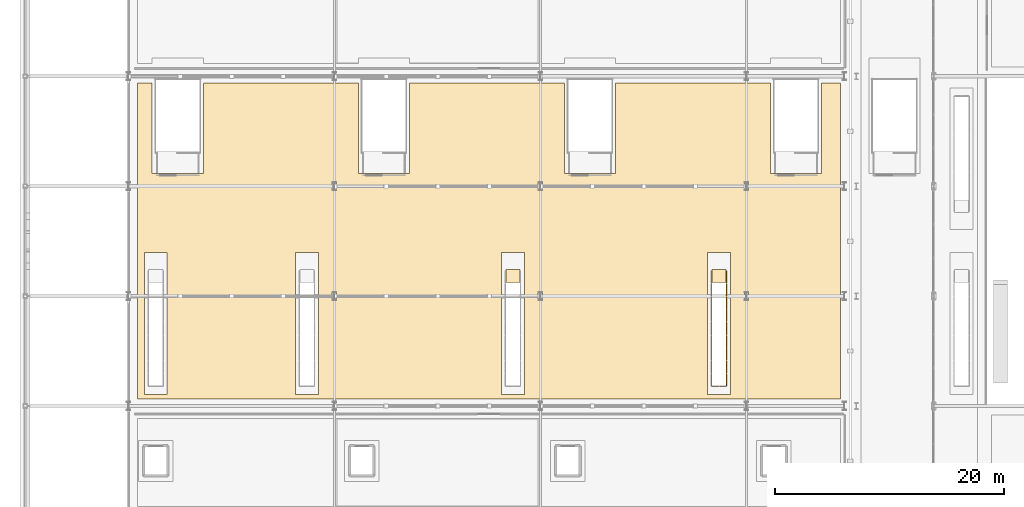
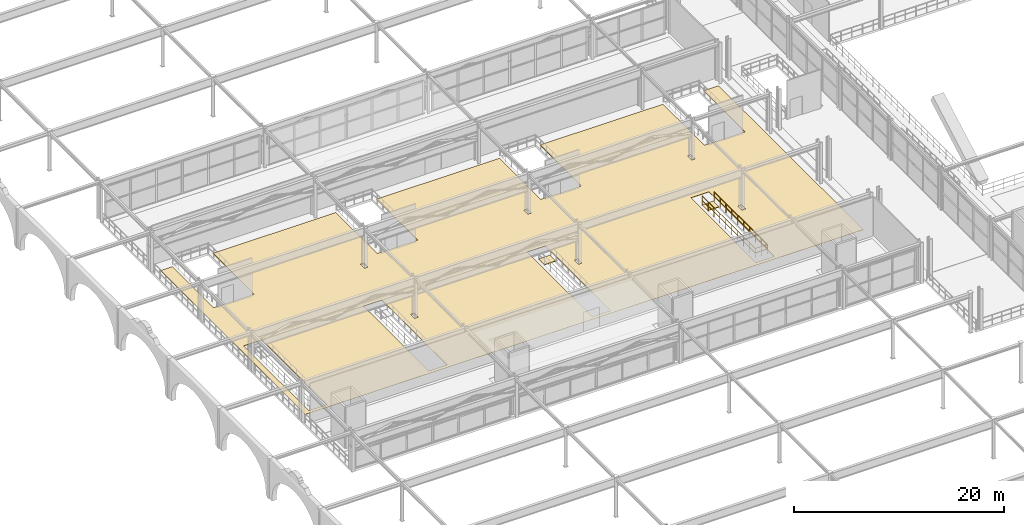
# One storey, part 95 of 125: 3 coverings, 1 railing.
"""IFC4 building model written with IfcOpenShell, lengths in metres."""

from ifc_helpers import new_model, si_unit, direction, frame, origin, origin_2d, place, context, subcontext, project, spatial, polyline, rectangle, outline, extrude, material, layer, layer_set, type_object, element, save


model = new_model("IFC4")

# Units and contexts
model_context = context("Model", 3, precision=1e-05, world=origin(), true_north=direction((0.0, 1.0)))
body_context = subcontext(model_context, "Body", "Model", "MODEL_VIEW")
ifc_project = project(units=[si_unit("LENGTHUNIT", "METRE"), si_unit("AREAUNIT", "SQUARE_METRE"), si_unit("VOLUMEUNIT", "CUBIC_METRE"), si_unit("PLANEANGLEUNIT", "RADIAN"), si_unit("MASSUNIT", "GRAM", prefix="KILO")], contexts=[model_context])

# Site, building, storey
site_placement = place(None, origin())
site = spatial("IfcSite", under=ifc_project, at=site_placement, CompositionType="ELEMENT")
building_placement = place(site_placement, origin())
building = spatial("IfcBuilding", under=site, at=building_placement, Name="Myrtia Square Station", CompositionType="ELEMENT")
storey_placement = place(building_placement, frame((0.0, 0.0, 6.0)))
storey = spatial("IfcBuildingStorey", under=building, at=storey_placement, Name="L01", CompositionType="ELEMENT", Elevation=6.0)

# Coverings
ifc_material_1 = material(Name="Terrazzo stone tile", Category="masonry")
ifc_layer = layer(ifc_material_1, 0.02490234375, Name="Terrazzo stone tile")
ifc_layer_set = layer_set([ifc_layer], Name="Terrazzo stone tile")
covering_type = type_object("IfcCoveringType", Name="COV-FLR-TERRAZZO", PredefinedType="FLOORING", material=ifc_layer_set)
covering_1_placement = place(storey_placement, origin())
element("IfcCovering", 1, at=covering_1_placement, inside=storey, type_object=covering_type, Name="Terrazzo concourse flooring L01-01", PredefinedType="FLOORING", context=body_context, shape_type="SweptSolid", body=[
    extrude(outline(polyline([(71.199951171875, 48.60009765625), (9.800048828125, 48.60009765625), (9.800048828125, 76.199951171875), (11.090087890625, 76.199951171875), (11.090087890625, 68.330078125), (15.550048828125, 68.330078125), (15.550048828125, 76.199951171875), (29.090087890625, 76.199951171875), (29.090087890625, 68.330078125), (33.550048828125, 68.330078125), (33.550048828125, 76.199951171875), (47.090087890625, 76.199951171875), (47.090087890625, 68.330078125), (51.550048828125, 68.330078125), (51.550048828125, 76.199951171875), (65.090087890625, 76.199951171875), (65.090087890625, 68.330078125), (69.550048828125, 68.330078125), (69.550048828125, 76.199951171875), (71.199951171875, 76.199951171875), (71.199951171875, 48.60009765625)]), holes=[polyline([(12.39990234375, 61.39990234375), (10.39990234375, 61.39990234375), (10.39990234375, 49.0), (12.39990234375, 49.0), (12.39990234375, 61.39990234375)]), polyline([(25.60009765625, 61.39990234375), (23.60009765625, 61.39990234375), (23.60009765625, 49.0), (25.60009765625, 49.0), (25.60009765625, 61.39990234375)]), polyline([(43.60009765625, 49.0), (43.60009765625, 61.39990234375), (41.60009765625, 61.39990234375), (41.60009765625, 49.0), (43.60009765625, 49.0)]), polyline([(27.18994140625, 57.989990234375), (26.81005859375, 57.989990234375), (26.81005859375, 57.2099609375), (27.18994140625, 57.2099609375), (27.18994140625, 57.989990234375)]), polyline([(45.18994140625, 57.989990234375), (44.81005859375, 57.989990234375), (44.81005859375, 57.2099609375), (45.18994140625, 57.2099609375), (45.18994140625, 57.989990234375)]), polyline([(45.18994140625, 66.81005859375), (45.18994140625, 67.590087890625), (44.81005859375, 67.590087890625), (44.81005859375, 66.81005859375), (45.18994140625, 66.81005859375)]), polyline([(27.18994140625, 67.590087890625), (26.81005859375, 67.590087890625), (26.81005859375, 66.81005859375), (27.18994140625, 66.81005859375), (27.18994140625, 67.590087890625)]), polyline([(61.60009765625, 49.0), (61.60009765625, 61.39990234375), (59.60009765625, 61.39990234375), (59.60009765625, 49.0), (61.60009765625, 49.0)]), polyline([(63.18994140625, 57.2099609375), (63.18994140625, 57.989990234375), (62.81005859375, 57.989990234375), (62.81005859375, 57.2099609375), (63.18994140625, 57.2099609375)]), polyline([(63.18994140625, 67.590087890625), (62.81005859375, 67.590087890625), (62.81005859375, 66.81005859375), (63.18994140625, 66.81005859375), (63.18994140625, 67.590087890625)])]), origin(), (0.0, 0.0, 1.0), 0.02490234375),
])
covering_2_placement = place(storey_placement, frame((0.0, 0.0, -0.080078125)))
element("IfcCovering", 2, at=covering_2_placement, inside=storey, type_object=covering_type, Name="Escalator ESC-03 upper comb landing", PredefinedType="FLOORING", context=body_context, shape_type="SweptSolid", body=[
    extrude(outline(polyline([(41.97998046875, 58.81005859375), (43.219970703125, 58.81005859375), (43.219970703125, 59.909912109375), (41.97998046875, 59.909912109375), (41.97998046875, 58.81005859375)])), origin(), (0.0, 0.0, 1.0), 0.080078125),
])
covering_3_placement = place(storey_placement, frame((0.0, 0.0, -0.080078125)))
element("IfcCovering", 3, at=covering_3_placement, inside=storey, type_object=covering_type, Name="Escalator ESC-04 upper comb landing", PredefinedType="FLOORING", context=body_context, shape_type="SweptSolid", body=[
    extrude(outline(polyline([(59.97998046875, 58.81005859375), (61.219970703125, 58.81005859375), (61.219970703125, 59.909912109375), (59.97998046875, 59.909912109375), (59.97998046875, 58.81005859375)])), origin(), (0.0, 0.0, 1.0), 0.080078125),
])

# Railing
ifc_material_2 = material(Name="Wrought iron", Category="steel")
railing_type = type_object("IfcRailingType", Name="RL-INT-GUARD-1100", PredefinedType="BALUSTRADE", material=ifc_material_2)
railing_placement = place(storey_placement, frame((59.93994140625, 59.81005859375, 0.0)))
element("IfcRailing", 4, at=railing_placement, inside=storey, type_object=railing_type, Name="Escalator ESC-04 upper well guard", PredefinedType="BALUSTRADE", context=body_context, shape_type="SweptSolid", body=[
    extrude(rectangle(XDim=0.048095703125, YDim=0.048095703125, at=origin_2d()), frame((0.0, -0.03466796875, 1.09619140625), z_axis=(0.0, -1.0, 0.0), x_axis=(1.0, 0.0, 0.0)), (0.0, 0.0, 1.0), 1.0517578125),
    extrude(rectangle(XDim=0.048095703125, YDim=0.048095703125, at=origin_2d()), frame((0.0, -0.03466796875, 0.58251953125), z_axis=(0.0, -1.0, 0.0), x_axis=(1.0, 0.0, 0.0)), (0.0, 0.0, 1.0), 1.0517578125),
    extrude(rectangle(XDim=0.048095703125, YDim=0.048095703125, at=origin_2d()), frame((0.0, -1.15576171875, 1.09619140625), z_axis=(0.0, -1.0, 0.0), x_axis=(1.0, 0.0, 0.0)), (0.0, 0.0, 1.0), 1.0517578125),
    extrude(rectangle(XDim=0.048095703125, YDim=0.048095703125, at=origin_2d()), frame((0.0, -1.15576171875, 0.58251953125), z_axis=(0.0, -1.0, 0.0), x_axis=(1.0, 0.0, 0.0)), (0.0, 0.0, 1.0), 1.0517578125),
    extrude(rectangle(XDim=0.048095703125, YDim=0.048095703125, at=origin_2d()), frame((0.0, -2.27685546875, 1.09619140625), z_axis=(0.0, -1.0, 0.0), x_axis=(1.0, 0.0, 0.0)), (0.0, 0.0, 1.0), 1.0517578125),
    extrude(rectangle(XDim=0.048095703125, YDim=0.048095703125, at=origin_2d()), frame((0.0, -2.27685546875, 0.58251953125), z_axis=(0.0, -1.0, 0.0), x_axis=(1.0, 0.0, 0.0)), (0.0, 0.0, 1.0), 1.0517578125),
    extrude(rectangle(XDim=0.048095703125, YDim=0.048095703125, at=origin_2d()), frame((0.0, -3.39794921875, 1.09619140625), z_axis=(0.0, -1.0, 0.0), x_axis=(1.0, 0.0, 0.0)), (0.0, 0.0, 1.0), 1.0517578125),
    extrude(rectangle(XDim=0.048095703125, YDim=0.048095703125, at=origin_2d()), frame((0.0, -3.39794921875, 0.58251953125), z_axis=(0.0, -1.0, 0.0), x_axis=(1.0, 0.0, 0.0)), (0.0, 0.0, 1.0), 1.0517578125),
    extrude(rectangle(XDim=0.048095703125, YDim=0.048095703125, at=origin_2d()), frame((0.0, -4.51904296875, 1.09619140625), z_axis=(0.0, -1.0, 0.0), x_axis=(1.0, 0.0, 0.0)), (0.0, 0.0, 1.0), 1.0517578125),
    extrude(rectangle(XDim=0.048095703125, YDim=0.048095703125, at=origin_2d()), frame((0.0, -4.51904296875, 0.58251953125), z_axis=(0.0, -1.0, 0.0), x_axis=(1.0, 0.0, 0.0)), (0.0, 0.0, 1.0), 1.0517578125),
    extrude(rectangle(XDim=0.048095703125, YDim=0.048095703125, at=origin_2d()), frame((0.0, -5.64013671875, 1.09619140625), z_axis=(0.0, -1.0, 0.0), x_axis=(1.0, 0.0, 0.0)), (0.0, 0.0, 1.0), 1.0517578125),
    extrude(rectangle(XDim=0.048095703125, YDim=0.048095703125, at=origin_2d()), frame((0.0, -5.64013671875, 0.58251953125), z_axis=(0.0, -1.0, 0.0), x_axis=(1.0, 0.0, 0.0)), (0.0, 0.0, 1.0), 1.0517578125),
    extrude(rectangle(XDim=0.048095703125, YDim=0.048095703125, at=origin_2d()), frame((0.0, -6.761474609375, 1.09619140625), z_axis=(0.0, -1.0, 0.0), x_axis=(1.0, 0.0, 0.0)), (0.0, 0.0, 1.0), 1.0517578125),
    extrude(rectangle(XDim=0.048095703125, YDim=0.048095703125, at=origin_2d()), frame((0.0, -6.761474609375, 0.58251953125), z_axis=(0.0, -1.0, 0.0), x_axis=(1.0, 0.0, 0.0)), (0.0, 0.0, 1.0), 1.0517578125),
    extrude(rectangle(XDim=0.048095703125, YDim=0.048095703125, at=origin_2d()), frame((0.0, -7.882568359375, 1.09619140625), z_axis=(0.0, -1.0, 0.0), x_axis=(1.0, 0.0, 0.0)), (0.0, 0.0, 1.0), 1.0517578125),
    extrude(rectangle(XDim=0.048095703125, YDim=0.048095703125, at=origin_2d()), frame((0.0, -7.882568359375, 0.58251953125), z_axis=(0.0, -1.0, 0.0), x_axis=(1.0, 0.0, 0.0)), (0.0, 0.0, 1.0), 1.0517578125),
    extrude(rectangle(XDim=0.048095703125, YDim=0.048095703125, at=origin_2d()), frame((0.0, -9.003662109375, 1.09619140625), z_axis=(0.0, -1.0, 0.0), x_axis=(1.0, 0.0, 0.0)), (0.0, 0.0, 1.0), 1.0517578125),
    extrude(rectangle(XDim=0.048095703125, YDim=0.048095703125, at=origin_2d()), frame((0.0, -9.003662109375, 0.58251953125), z_axis=(0.0, -1.0, 0.0), x_axis=(1.0, 0.0, 0.0)), (0.0, 0.0, 1.0), 1.0517578125),
    extrude(rectangle(XDim=0.048095703125, YDim=0.048095703125, at=origin_2d()), frame((0.03466796875, -10.090087890625, 1.09619140625), z_axis=(1.0, 0.0, 0.0), x_axis=(0.0, 1.0, 0.0)), (0.0, 0.0, 1.0), 0.5908203125),
    extrude(rectangle(XDim=0.048095703125, YDim=0.048095703125, at=origin_2d()), frame((0.03466796875, -10.090087890625, 0.58251953125), z_axis=(1.0, 0.0, 0.0), x_axis=(0.0, 1.0, 0.0)), (0.0, 0.0, 1.0), 0.5908203125),
    extrude(rectangle(XDim=0.048095703125, YDim=0.048095703125, at=origin_2d()), frame((0.694580078125, -10.090087890625, 1.09619140625), z_axis=(1.0, 0.0, 0.0), x_axis=(0.0, 1.0, 0.0)), (0.0, 0.0, 1.0), 0.5908203125),
    extrude(rectangle(XDim=0.048095703125, YDim=0.048095703125, at=origin_2d()), frame((0.694580078125, -10.090087890625, 0.58251953125), z_axis=(1.0, 0.0, 0.0), x_axis=(0.0, 1.0, 0.0)), (0.0, 0.0, 1.0), 0.5908203125),
    extrude(rectangle(XDim=0.048095703125, YDim=0.048095703125, at=origin_2d()), frame((1.320068359375, -10.055419921875, 1.09619140625), z_axis=(0.0, 1.0, 0.0), x_axis=(-1.0, 0.0, 0.0)), (0.0, 0.0, 1.0), 1.0517578125),
    extrude(rectangle(XDim=0.048095703125, YDim=0.048095703125, at=origin_2d()), frame((1.320068359375, -10.055419921875, 0.58251953125), z_axis=(0.0, 1.0, 0.0), x_axis=(-1.0, 0.0, 0.0)), (0.0, 0.0, 1.0), 1.0517578125),
    extrude(rectangle(XDim=0.048095703125, YDim=0.048095703125, at=origin_2d()), frame((1.320068359375, -8.934326171875, 1.09619140625), z_axis=(0.0, 1.0, 0.0), x_axis=(-1.0, 0.0, 0.0)), (0.0, 0.0, 1.0), 1.0517578125),
    extrude(rectangle(XDim=0.048095703125, YDim=0.048095703125, at=origin_2d()), frame((1.320068359375, -8.934326171875, 0.58251953125), z_axis=(0.0, 1.0, 0.0), x_axis=(-1.0, 0.0, 0.0)), (0.0, 0.0, 1.0), 1.0517578125),
    extrude(rectangle(XDim=0.048095703125, YDim=0.048095703125, at=origin_2d()), frame((1.320068359375, -7.813232421875, 1.09619140625), z_axis=(0.0, 1.0, 0.0), x_axis=(-1.0, 0.0, 0.0)), (0.0, 0.0, 1.0), 1.0517578125),
    extrude(rectangle(XDim=0.048095703125, YDim=0.048095703125, at=origin_2d()), frame((1.320068359375, -7.813232421875, 0.58251953125), z_axis=(0.0, 1.0, 0.0), x_axis=(-1.0, 0.0, 0.0)), (0.0, 0.0, 1.0), 1.0517578125),
    extrude(rectangle(XDim=0.048095703125, YDim=0.048095703125, at=origin_2d()), frame((1.320068359375, -6.692138671875, 1.09619140625), z_axis=(0.0, 1.0, 0.0), x_axis=(-1.0, 0.0, 0.0)), (0.0, 0.0, 1.0), 1.0517578125),
    extrude(rectangle(XDim=0.048095703125, YDim=0.048095703125, at=origin_2d()), frame((1.320068359375, -6.692138671875, 0.58251953125), z_axis=(0.0, 1.0, 0.0), x_axis=(-1.0, 0.0, 0.0)), (0.0, 0.0, 1.0), 1.0517578125),
    extrude(rectangle(XDim=0.048095703125, YDim=0.048095703125, at=origin_2d()), frame((1.320068359375, -5.571044921875, 1.09619140625), z_axis=(0.0, 1.0, 0.0), x_axis=(-1.0, 0.0, 0.0)), (0.0, 0.0, 1.0), 1.0517578125),
    extrude(rectangle(XDim=0.048095703125, YDim=0.048095703125, at=origin_2d()), frame((1.320068359375, -5.571044921875, 0.58251953125), z_axis=(0.0, 1.0, 0.0), x_axis=(-1.0, 0.0, 0.0)), (0.0, 0.0, 1.0), 1.0517578125),
    extrude(rectangle(XDim=0.048095703125, YDim=0.048095703125, at=origin_2d()), frame((1.320068359375, -4.449951171875, 1.09619140625), z_axis=(0.0, 1.0, 0.0), x_axis=(-1.0, 0.0, 0.0)), (0.0, 0.0, 1.0), 1.0517578125),
    extrude(rectangle(XDim=0.048095703125, YDim=0.048095703125, at=origin_2d()), frame((1.320068359375, -4.449951171875, 0.58251953125), z_axis=(0.0, 1.0, 0.0), x_axis=(-1.0, 0.0, 0.0)), (0.0, 0.0, 1.0), 1.0517578125),
    extrude(rectangle(XDim=0.048095703125, YDim=0.048095703125, at=origin_2d()), frame((1.320068359375, -3.32861328125, 1.09619140625), z_axis=(0.0, 1.0, 0.0), x_axis=(-1.0, 0.0, 0.0)), (0.0, 0.0, 1.0), 1.0517578125),
    extrude(rectangle(XDim=0.048095703125, YDim=0.048095703125, at=origin_2d()), frame((1.320068359375, -3.32861328125, 0.58251953125), z_axis=(0.0, 1.0, 0.0), x_axis=(-1.0, 0.0, 0.0)), (0.0, 0.0, 1.0), 1.0517578125),
    extrude(rectangle(XDim=0.048095703125, YDim=0.048095703125, at=origin_2d()), frame((1.320068359375, -2.20751953125, 1.09619140625), z_axis=(0.0, 1.0, 0.0), x_axis=(-1.0, 0.0, 0.0)), (0.0, 0.0, 1.0), 1.0517578125),
    extrude(rectangle(XDim=0.048095703125, YDim=0.048095703125, at=origin_2d()), frame((1.320068359375, -2.20751953125, 0.58251953125), z_axis=(0.0, 1.0, 0.0), x_axis=(-1.0, 0.0, 0.0)), (0.0, 0.0, 1.0), 1.0517578125),
    extrude(rectangle(XDim=0.048095703125, YDim=0.048095703125, at=origin_2d()), frame((1.320068359375, -1.08642578125, 1.09619140625), z_axis=(0.0, 1.0, 0.0), x_axis=(-1.0, 0.0, 0.0)), (0.0, 0.0, 1.0), 1.0517578125),
    extrude(rectangle(XDim=0.048095703125, YDim=0.048095703125, at=origin_2d()), frame((1.320068359375, -1.08642578125, 0.58251953125), z_axis=(0.0, 1.0, 0.0), x_axis=(-1.0, 0.0, 0.0)), (0.0, 0.0, 1.0), 1.0517578125),
    extrude(rectangle(XDim=0.0439453125, YDim=0.0439453125, at=origin_2d()), origin(), (0.0, 0.0, 1.0), 1.1201171875),
    extrude(rectangle(XDim=0.0439453125, YDim=0.0439453125, at=origin_2d()), frame((0.0, -1.12109375, 0.0)), (0.0, 0.0, 1.0), 1.1201171875),
    extrude(rectangle(XDim=0.0439453125, YDim=0.0439453125, at=origin_2d()), frame((0.0, -2.2421875, 0.0)), (0.0, 0.0, 1.0), 1.1201171875),
    extrude(rectangle(XDim=0.0439453125, YDim=0.0439453125, at=origin_2d()), frame((0.0, -3.36328125, 0.0)), (0.0, 0.0, 1.0), 1.1201171875),
    extrude(rectangle(XDim=0.0439453125, YDim=0.0439453125, at=origin_2d()), frame((0.0, -4.484375, 0.0)), (0.0, 0.0, 1.0), 1.1201171875),
    extrude(rectangle(XDim=0.0439453125, YDim=0.0439453125, at=origin_2d()), frame((0.0, -5.605712890625, 0.0)), (0.0, 0.0, 1.0), 1.1201171875),
    extrude(rectangle(XDim=0.0439453125, YDim=0.0439453125, at=origin_2d()), frame((0.0, -6.726806640625, 0.0)), (0.0, 0.0, 1.0), 1.1201171875),
    extrude(rectangle(XDim=0.0439453125, YDim=0.0439453125, at=origin_2d()), frame((0.0, -7.847900390625, 0.0)), (0.0, 0.0, 1.0), 1.1201171875),
    extrude(rectangle(XDim=0.0439453125, YDim=0.0439453125, at=origin_2d()), frame((0.0, -8.968994140625, 0.0)), (0.0, 0.0, 1.0), 1.1201171875),
    extrude(rectangle(XDim=0.0439453125, YDim=0.0439453125, at=origin_2d()), frame((0.0, -10.090087890625, 0.0)), (0.0, 0.0, 1.0), 1.1201171875),
    extrude(rectangle(XDim=0.0439453125, YDim=0.0439453125, at=origin_2d()), frame((0.66015625, -10.090087890625, 0.0)), (0.0, 0.0, 1.0), 1.1201171875),
    extrude(rectangle(XDim=0.0439453125, YDim=0.0439453125, at=origin_2d()), frame((1.320068359375, -10.090087890625, 0.0)), (0.0, 0.0, 1.0), 1.1201171875),
    extrude(rectangle(XDim=0.0439453125, YDim=0.0439453125, at=origin_2d()), frame((1.320068359375, -8.968994140625, 0.0)), (0.0, 0.0, 1.0), 1.1201171875),
    extrude(rectangle(XDim=0.0439453125, YDim=0.0439453125, at=origin_2d()), frame((1.320068359375, -7.847900390625, 0.0)), (0.0, 0.0, 1.0), 1.1201171875),
    extrude(rectangle(XDim=0.0439453125, YDim=0.0439453125, at=origin_2d()), frame((1.320068359375, -6.726806640625, 0.0)), (0.0, 0.0, 1.0), 1.1201171875),
    extrude(rectangle(XDim=0.0439453125, YDim=0.0439453125, at=origin_2d()), frame((1.320068359375, -5.605712890625, 0.0)), (0.0, 0.0, 1.0), 1.1201171875),
    extrude(rectangle(XDim=0.0439453125, YDim=0.0439453125, at=origin_2d()), frame((1.320068359375, -4.484375, 0.0)), (0.0, 0.0, 1.0), 1.1201171875),
    extrude(rectangle(XDim=0.0439453125, YDim=0.0439453125, at=origin_2d()), frame((1.320068359375, -3.36328125, 0.0)), (0.0, 0.0, 1.0), 1.1201171875),
    extrude(rectangle(XDim=0.0439453125, YDim=0.0439453125, at=origin_2d()), frame((1.320068359375, -2.2421875, 0.0)), (0.0, 0.0, 1.0), 1.1201171875),
    extrude(rectangle(XDim=0.0439453125, YDim=0.0439453125, at=origin_2d()), frame((1.320068359375, -1.12109375, 0.0)), (0.0, 0.0, 1.0), 1.1201171875),
    extrude(rectangle(XDim=0.0439453125, YDim=0.0439453125, at=origin_2d()), frame((1.320068359375, 0.0, 0.0)), (0.0, 0.0, 1.0), 1.1201171875),
])

save(model, "model.ifc")
